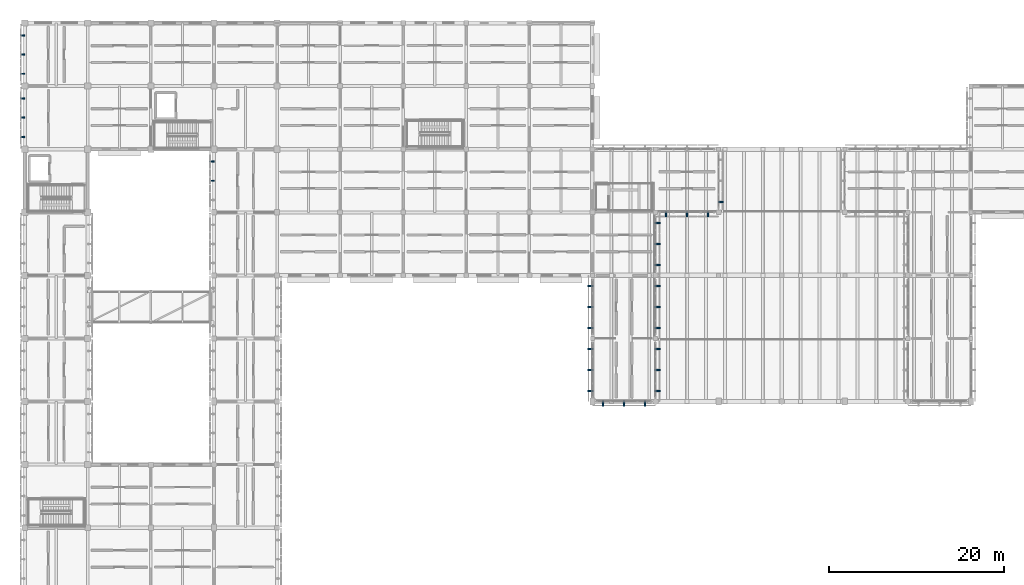
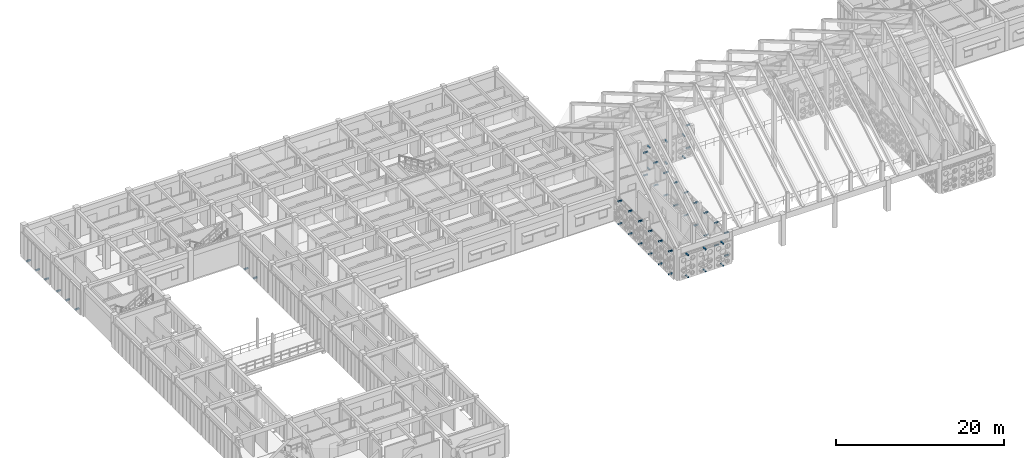
# One storey, part 144 of 171: 52 discrete accessories.
"""IFC4 building model written with IfcOpenShell, lengths in metres."""

from ifc_helpers import new_model, si_unit, direction, frame, origin, origin_2d, place, context, subcontext, project, spatial, rectangle, extrude, material, type_object, element, save


model = new_model("IFC4")

# Units and contexts
model_context = context("Model", 3, precision=1e-05, world=origin(), true_north=direction((0.0, 1.0)))
body_context = subcontext(model_context, "Body", "Model", "MODEL_VIEW")
ifc_project = project(units=[si_unit("LENGTHUNIT", "METRE"), si_unit("AREAUNIT", "SQUARE_METRE"), si_unit("VOLUMEUNIT", "CUBIC_METRE"), si_unit("PLANEANGLEUNIT", "RADIAN"), si_unit("MASSUNIT", "GRAM", prefix="KILO")], contexts=[model_context])

# Site, building, storey
site_placement = place(None, origin())
site = spatial("IfcSite", under=ifc_project, at=site_placement, CompositionType="ELEMENT")
building_placement = place(site_placement, origin())
building = spatial("IfcBuilding", under=site, at=building_placement, Name="Aldebral Square Health Centre", CompositionType="ELEMENT")
storey_placement = place(building_placement, frame((0.0, 0.0, 4.5)))
storey = spatial("IfcBuildingStorey", under=building, at=storey_placement, Name="L01", CompositionType="ELEMENT", Elevation=4.5)

# Discrete accessories
ifc_material = material(Name="Steel S355JR", Category="steel")
discrete_accessory_type_1 = type_object("IfcDiscreteAccessoryType", Name="ACC-BRK-1", PredefinedType="BRACKET", material=ifc_material)
for number, where, z_axis, x_axis, name in (
    (1, (-0.22998046875, 106.583984375, -0.009765625), (0.0, 0.0, 1.0), (0.0, 1.0, 0.0), "L01 finned curtain-wall bracket L01-V4-00-14-W.1"),
    (2, (-0.22998046875, 104.39990234375, -0.009765625), (0.0, 0.0, 1.0), (0.0, 1.0, 0.0), "L01 finned curtain-wall bracket L01-V4-00-14-W.2"),
    (3, (-0.22998046875, 102.216064453125, -0.009765625), (0.0, 0.0, 1.0), (0.0, 1.0, 0.0), "L01 finned curtain-wall bracket L01-V4-00-14-W.3"),
    (4, (-0.22998046875, 113.783935546875, -0.009765625), (0.0, 0.0, 1.0), (0.0, 1.0, 0.0), "L01 finned curtain-wall bracket L01-V4-00-15-W.1"),
    (5, (-0.22998046875, 111.60009765625, -0.009765625), (0.0, 0.0, 1.0), (0.0, 1.0, 0.0), "L01 finned curtain-wall bracket L01-V4-00-15-W.2"),
    (6, (-0.22998046875, 109.416015625, -0.009765625), (0.0, 0.0, 1.0), (0.0, 1.0, 0.0), "L01 finned curtain-wall bracket L01-V4-00-15-W.3"),
    (7, (21.3701171875, 99.384033203125, -0.009765625), (0.0, 0.0, 1.0), (0.0, 1.0, 0.0), "L01 finned curtain-wall bracket L01-V4-03-13-W.1"),
    (8, (21.3701171875, 97.199951171875, -0.009765625), (0.0, 0.0, 1.0), (0.0, 1.0, 0.0), "L01 finned curtain-wall bracket L01-V4-03-13-W.2"),
):
    element("IfcDiscreteAccessory", number, at=place(storey_placement, frame(where, z_axis=z_axis, x_axis=x_axis)), inside=storey, type_object=discrete_accessory_type_1, Name=name, PredefinedType="BRACKET", context=body_context, shape_type="SweptSolid", body=[
        extrude(rectangle(XDim=0.159912109375, YDim=0.52001953125, at=origin_2d()), origin(), (0.0, 0.0, 1.0), 0.139892578125),
    ])
discrete_accessory_type_2 = type_object("IfcDiscreteAccessoryType", Name="ACC-BRK-2", PredefinedType="BRACKET", material=ifc_material)
for number, where, z_axis, x_axis, name in (
    (9, (66.0, 71.77001953125, 0.0), (0.0, 0.0, 1.0), (1.0, 0.0, 0.0), "L01 screen support bracket L01-V1-09-10-S.1 base"),
    (10, (66.0, 71.77001953125, 3.18994140625), (0.0, 0.0, 1.0), (1.0, 0.0, 0.0), "L01 screen support bracket L01-V1-09-10-S.1 head"),
    (11, (68.39990234375, 71.77001953125, 0.0), (0.0, 0.0, 1.0), (1.0, 0.0, 0.0), "L01 screen support bracket L01-V1-09-10-S.2 base"),
    (12, (68.39990234375, 71.77001953125, 3.18994140625), (0.0, 0.0, 1.0), (1.0, 0.0, 0.0), "L01 screen support bracket L01-V1-09-10-S.2 head"),
    (13, (70.800048828125, 71.77001953125, 0.0), (0.0, 0.0, 1.0), (1.0, 0.0, 0.0), "L01 screen support bracket L01-V1-09-10-S.3 base"),
    (14, (70.800048828125, 71.77001953125, 3.18994140625), (0.0, 0.0, 1.0), (1.0, 0.0, 0.0), "L01 screen support bracket L01-V1-09-10-S.3 head"),
    (15, (64.570068359375, 78.0, 0.0), (0.0, 0.0, 1.0), (0.0, 1.0, 0.0), "L01 screen support bracket L01-V1-09-10-W.1 base"),
    (16, (64.570068359375, 78.0, 3.2900390625), (0.0, 0.0, 1.0), (0.0, 1.0, 0.0), "L01 screen support bracket L01-V1-09-10-W.1 head"),
    (17, (64.570068359375, 75.60009765625, 0.0), (0.0, 0.0, 1.0), (0.0, 1.0, 0.0), "L01 screen support bracket L01-V1-09-10-W.2 base"),
    (18, (64.570068359375, 75.60009765625, 3.2900390625), (0.0, 0.0, 1.0), (0.0, 1.0, 0.0), "L01 screen support bracket L01-V1-09-10-W.2 head"),
    (19, (64.570068359375, 73.199951171875, 0.0), (0.0, 0.0, 1.0), (0.0, 1.0, 0.0), "L01 screen support bracket L01-V1-09-10-W.3 base"),
    (20, (64.570068359375, 73.199951171875, 3.2900390625), (0.0, 0.0, 1.0), (0.0, 1.0, 0.0), "L01 screen support bracket L01-V1-09-10-W.3 head"),
    (21, (72.22998046875, 73.199951171875, 0.0), (0.0, 0.0, 1.0), (0.0, 1.0, 0.0), "L01 screen support bracket L01-V1-09-10-E.1 base"),
    (22, (72.22998046875, 73.199951171875, 3.2900390625), (0.0, 0.0, 1.0), (0.0, 1.0, 0.0), "L01 screen support bracket L01-V1-09-10-E.1 head"),
    (23, (72.22998046875, 75.60009765625, 0.0), (0.0, 0.0, 1.0), (0.0, 1.0, 0.0), "L01 screen support bracket L01-V1-09-10-E.2 base"),
    (24, (72.22998046875, 75.60009765625, 3.2900390625), (0.0, 0.0, 1.0), (0.0, 1.0, 0.0), "L01 screen support bracket L01-V1-09-10-E.2 head"),
    (25, (72.22998046875, 78.0, 0.0), (0.0, 0.0, 1.0), (0.0, 1.0, 0.0), "L01 screen support bracket L01-V1-09-10-E.3 base"),
    (26, (72.22998046875, 78.0, 3.2900390625), (0.0, 0.0, 1.0), (0.0, 1.0, 0.0), "L01 screen support bracket L01-V1-09-10-E.3 head"),
    (27, (64.570068359375, 85.199951171875, 0.0), (0.0, 0.0, 1.0), (0.0, 1.0, 0.0), "L01 screen support bracket L01-V1-09-11-W.1 base"),
    (28, (64.570068359375, 85.199951171875, 3.2900390625), (0.0, 0.0, 1.0), (0.0, 1.0, 0.0), "L01 screen support bracket L01-V1-09-11-W.1 head"),
    (29, (64.570068359375, 82.800048828125, 0.0), (0.0, 0.0, 1.0), (0.0, 1.0, 0.0), "L01 screen support bracket L01-V1-09-11-W.2 base"),
    (30, (64.570068359375, 82.800048828125, 3.2900390625), (0.0, 0.0, 1.0), (0.0, 1.0, 0.0), "L01 screen support bracket L01-V1-09-11-W.2 head"),
    (31, (64.570068359375, 80.39990234375, 0.0), (0.0, 0.0, 1.0), (0.0, 1.0, 0.0), "L01 screen support bracket L01-V1-09-11-W.3 base"),
    (32, (64.570068359375, 80.39990234375, 3.2900390625), (0.0, 0.0, 1.0), (0.0, 1.0, 0.0), "L01 screen support bracket L01-V1-09-11-W.3 head"),
    (33, (72.22998046875, 80.39990234375, 0.0), (0.0, 0.0, 1.0), (0.0, 1.0, 0.0), "L01 screen support bracket L01-V1-09-11-E.1 base"),
    (34, (72.22998046875, 80.39990234375, 3.2900390625), (0.0, 0.0, 1.0), (0.0, 1.0, 0.0), "L01 screen support bracket L01-V1-09-11-E.1 head"),
    (35, (72.22998046875, 82.800048828125, 0.0), (0.0, 0.0, 1.0), (0.0, 1.0, 0.0), "L01 screen support bracket L01-V1-09-11-E.2 base"),
    (36, (72.22998046875, 82.800048828125, 3.2900390625), (0.0, 0.0, 1.0), (0.0, 1.0, 0.0), "L01 screen support bracket L01-V1-09-11-E.2 head"),
    (37, (72.22998046875, 85.199951171875, 0.0), (0.0, 0.0, 1.0), (0.0, 1.0, 0.0), "L01 screen support bracket L01-V1-09-11-E.3 base"),
    (38, (72.22998046875, 85.199951171875, 3.2900390625), (0.0, 0.0, 1.0), (0.0, 1.0, 0.0), "L01 screen support bracket L01-V1-09-11-E.3 head"),
    (39, (72.22998046875, 87.60009765625, 0.0), (0.0, 0.0, 1.0), (0.0, 1.0, 0.0), "L01 screen support bracket L01-V1-09-12-E.1 base"),
    (40, (72.22998046875, 87.60009765625, 3.2900390625), (0.0, 0.0, 1.0), (0.0, 1.0, 0.0), "L01 screen support bracket L01-V1-09-12-E.1 head"),
    (41, (72.22998046875, 90.0, 0.0), (0.0, 0.0, 1.0), (0.0, 1.0, 0.0), "L01 screen support bracket L01-V1-09-12-E.2 base"),
    (42, (72.22998046875, 90.0, 3.2900390625), (0.0, 0.0, 1.0), (0.0, 1.0, 0.0), "L01 screen support bracket L01-V1-09-12-E.2 head"),
    (43, (72.22998046875, 92.39990234375, 0.0), (0.0, 0.0, 1.0), (0.0, 1.0, 0.0), "L01 screen support bracket L01-V1-09-12-E.3 base"),
    (44, (72.22998046875, 92.39990234375, 3.2900390625), (0.0, 0.0, 1.0), (0.0, 1.0, 0.0), "L01 screen support bracket L01-V1-09-12-E.3 head"),
    (45, (73.199951171875, 93.3701171875, 0.0), (0.0, 0.0, 1.0), (1.0, 0.0, 0.0), "L01 screen support bracket L01-V1-10-13-S.1 base"),
    (46, (73.199951171875, 93.3701171875, 3.18994140625), (0.0, 0.0, 1.0), (1.0, 0.0, 0.0), "L01 screen support bracket L01-V1-10-13-S.1 head"),
    (47, (75.60009765625, 93.3701171875, 0.0), (0.0, 0.0, 1.0), (1.0, 0.0, 0.0), "L01 screen support bracket L01-V1-10-13-S.2 base"),
    (48, (75.60009765625, 93.3701171875, 3.18994140625), (0.0, 0.0, 1.0), (1.0, 0.0, 0.0), "L01 screen support bracket L01-V1-10-13-S.2 head"),
    (49, (78.0, 93.3701171875, 0.0), (0.0, 0.0, 1.0), (1.0, 0.0, 0.0), "L01 screen support bracket L01-V1-10-13-S.3 base"),
    (50, (78.0, 93.3701171875, 3.18994140625), (0.0, 0.0, 1.0), (1.0, 0.0, 0.0), "L01 screen support bracket L01-V1-10-13-S.3 head"),
    (51, (79.429931640625, 94.800048828125, 0.0), (0.0, 0.0, 1.0), (0.0, 1.0, 0.0), "L01 screen support bracket L01-V1-10-13-E.1 base"),
    (52, (79.429931640625, 94.800048828125, 3.2900390625), (0.0, 0.0, 1.0), (0.0, 1.0, 0.0), "L01 screen support bracket L01-V1-10-13-E.1 head"),
):
    element("IfcDiscreteAccessory", number, at=place(storey_placement, frame(where, z_axis=z_axis, x_axis=x_axis)), inside=storey, type_object=discrete_accessory_type_2, Name=name, PredefinedType="BRACKET", context=body_context, shape_type="SweptSolid", body=[
        extrude(rectangle(XDim=0.159912109375, YDim=0.60009765625, at=origin_2d()), origin(), (0.0, 0.0, 1.0), 0.179931640625),
    ])

save(model, "model.ifc")
